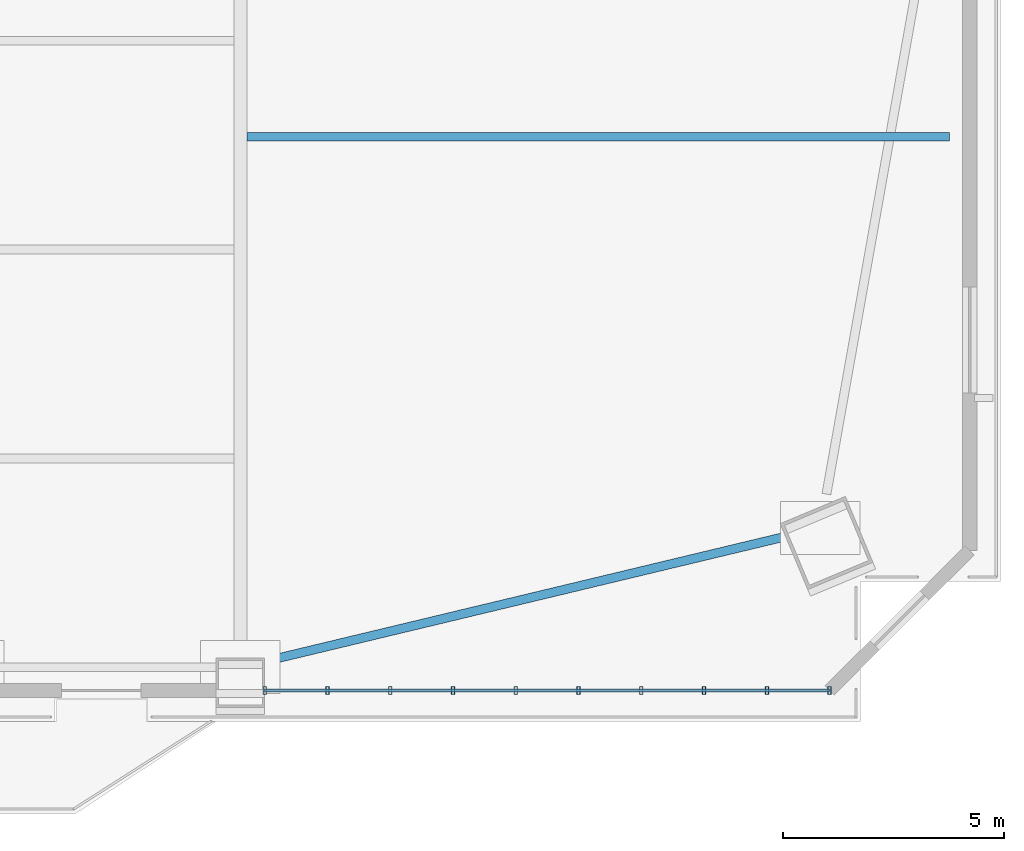
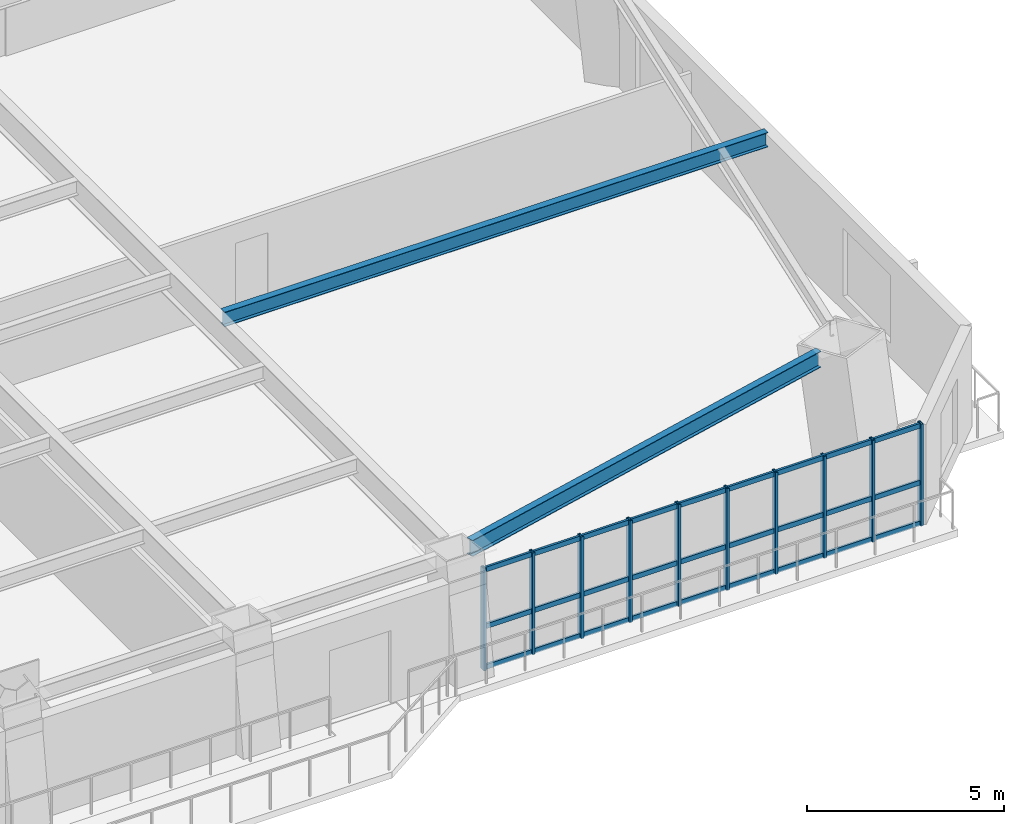
# One storey, part 6 of 17: 13 members, 2 beams, 1 element without a shape of its own.
"""IFC4 building model written with IfcOpenShell, lengths in metres."""

from ifc_helpers import new_model, si_unit, direction, frame, origin, origin_2d, place, context, subcontext, project, spatial, hollow_rectangle, i_section, extrude, source, transform, mapped, material, layer, layer_set, material_profile, profile_set, type_object, element, aggregate, save


model = new_model("IFC4")

# Units and contexts
model_context = context("Model", 3, precision=1e-05, world=origin(), true_north=direction((0.0, 1.0)))
body_context = subcontext(model_context, "Body", "Model", "MODEL_VIEW")
ifc_project = project(units=[si_unit("LENGTHUNIT", "METRE"), si_unit("AREAUNIT", "SQUARE_METRE"), si_unit("VOLUMEUNIT", "CUBIC_METRE"), si_unit("PLANEANGLEUNIT", "RADIAN"), si_unit("MASSUNIT", "GRAM", prefix="KILO")], contexts=[model_context])

# Site, building, storey
site_placement = place(None, origin())
site = spatial("IfcSite", under=ifc_project, at=site_placement, CompositionType="ELEMENT")
building_placement = place(site_placement, origin())
building = spatial("IfcBuilding", under=site, at=building_placement, Name="Giltprow Tower", CompositionType="ELEMENT")
storey_placement = place(building_placement, frame((0.0, 0.0, 44.89990234375)))
storey = spatial("IfcBuildingStorey", under=building, at=storey_placement, Name="L11", CompositionType="ELEMENT", Elevation=44.89990234375)

# Beams
ifc_material_1 = material(Name="Structural steel Q355B", Category="steel")
ifc_material_profile_1 = material_profile(ifc_material_1, i_section(OverallWidth=0.199951171875, OverallDepth=0.5, WebThickness=0.010009765625, FlangeThickness=0.01611328125, at=origin_2d()), Name="HN 500x200x10x16")
ifc_profile_set_1 = profile_set([ifc_material_profile_1], Name="Structural steel Q355B")
beam_type_1 = type_object("IfcBeamType", Name="BM-SPAN-HN500", PredefinedType="SPANDREL", material=ifc_profile_set_1)
shared_shape_1 = source(origin(), body_context, "Body", "SweptSolid", [
    extrude(i_section(OverallWidth=0.199951171875, OverallDepth=0.5, WebThickness=0.010009765625, FlangeThickness=0.01611328125, at=origin_2d()), origin(), (0.0, 0.0, 1.0), 12.1845703125),
])
beam_1_placement = place(storey_placement, frame((51.070068359375, 4.47900390625, 3.3701171875), z_axis=(0.972455101708, 0.23309027256, 0.0), x_axis=(-0.23309027256, 0.972455101708, 0.0)))
element("IfcBeam", 1, at=beam_1_placement, inside=storey, type_object=beam_type_1, Name="L11 Perimeter Spandrel Beam S4-MC_SE", PredefinedType="SPANDREL", context=body_context, shape_type="MappedRepresentation", body=[
    mapped(shared_shape_1, transform((0.0, 0.0, 0.0), x_axis=(1.0, 0.0, 0.0), y_axis=(0.0, 1.0, 0.0), z_axis=(0.0, 0.0, 1.0), scale=1.0)),
])
ifc_material_profile_2 = material_profile(ifc_material_1, i_section(OverallWidth=0.199951171875, OverallDepth=0.449951171875, WebThickness=0.009033203125, FlangeThickness=0.013916015625, at=origin_2d()), Name="HN 450x200x9x14")
ifc_profile_set_2 = profile_set([ifc_material_profile_2], Name="Structural steel Q355B")
beam_type_2 = type_object("IfcBeamType", Name="BM-JOIST-HN450", PredefinedType="JOIST", material=ifc_profile_set_2)
shared_shape_2 = source(origin(), body_context, "Body", "SweptSolid", [
    extrude(i_section(OverallWidth=0.199951171875, OverallDepth=0.449951171875, WebThickness=0.009033203125, FlangeThickness=0.013916015625, at=origin_2d()), origin(), (0.0, 0.0, 1.0), 15.9150390625),
])
beam_2_placement = place(storey_placement, frame((50.695068359375, 16.364013671875, 3.39501953125), z_axis=(1.0, 0.0, 0.0), x_axis=(0.0, 1.0, 0.0)))
element("IfcBeam", 2, at=beam_2_placement, inside=storey, type_object=beam_type_2, Name="L11 East Wing Floor Joist 1", PredefinedType="JOIST", context=body_context, shape_type="MappedRepresentation", body=[
    mapped(shared_shape_2, transform((0.0, 0.0, 0.0), x_axis=(1.0, 0.0, 0.0), y_axis=(0.0, 1.0, 0.0), z_axis=(0.0, 0.0, 1.0), scale=1.0)),
])

# Curtain wall, members
ifc_material_2 = material(Name="Anodized bronze", Category="metal")
ifc_layer = layer(ifc_material_2, 0.179931640625, Name="Anodized bronze")
ifc_layer_set = layer_set([ifc_layer], Name="Anodized bronze")
curtain_wall_type = type_object("IfcCurtainWallType", Name="CW-OFF-RECESSED", PredefinedType="NOTDEFINED", material=ifc_layer_set)
curtain_wall_placement = place(storey_placement, origin())
curtain_wall = element("IfcCurtainWall", 3, at=curtain_wall_placement, inside=storey, type_object=curtain_wall_type, Name="L11 South Recessed Curtain Wall 6", PredefinedType="NOTDEFINED")
ifc_material_profile_3 = material_profile(ifc_material_2, hollow_rectangle(XDim=0.06494140625, YDim=0.14990234375, WallThickness=0.006103515625, at=origin_2d()), Name="RHS 150x65x6")
ifc_profile_set_3 = profile_set([ifc_material_profile_3], Name="Anodized bronze")
member_type_1 = type_object("IfcMemberType", Name="CW-TRANSOM-150x65", PredefinedType="USERDEFINED", material=ifc_profile_set_3)
shared_shape_3 = source(origin(), body_context, "Body", "SweptSolid", [
    extrude(hollow_rectangle(XDim=0.06494140625, YDim=0.14990234375, WallThickness=0.006103515625, at=origin_2d()), origin(), (0.0, 0.0, 1.0), 12.791015625),
])
member_1_placement = place(storey_placement, frame((51.10009765625, 3.826904296875, 0.0400390625), z_axis=(1.0, 0.0, 0.0), x_axis=(0.0, 1.0, 0.0)))
member_1 = element("IfcMember", 4, at=member_1_placement, type_object=member_type_1, Name="L11 South Recessed Curtain Wall 6 Transom 1", ObjectType="TRANSOM", PredefinedType="USERDEFINED", context=body_context, shape_type="MappedRepresentation", body=[
    mapped(shared_shape_3, transform((0.0, 0.0, 0.0), x_axis=(1.0, 0.0, 0.0), y_axis=(0.0, 1.0, 0.0), z_axis=(0.0, 0.0, 1.0), scale=1.0)),
])
member_2_placement = place(storey_placement, frame((51.10009765625, 3.826904296875, 1.302001953125), z_axis=(1.0, 0.0, 0.0), x_axis=(0.0, 1.0, 0.0)))
member_2 = element("IfcMember", 5, at=member_2_placement, type_object=member_type_1, Name="L11 South Recessed Curtain Wall 6 Transom 2", ObjectType="TRANSOM", PredefinedType="USERDEFINED", context=body_context, shape_type="MappedRepresentation", body=[
    mapped(shared_shape_3, transform((0.0, 0.0, 0.0), x_axis=(1.0, 0.0, 0.0), y_axis=(0.0, 1.0, 0.0), z_axis=(0.0, 0.0, 1.0), scale=1.0)),
])
member_3_placement = place(storey_placement, frame((51.10009765625, 3.826904296875, 3.06005859375), z_axis=(1.0, 0.0, 0.0), x_axis=(0.0, 1.0, 0.0)))
member_3 = element("IfcMember", 6, at=member_3_placement, type_object=member_type_1, Name="L11 South Recessed Curtain Wall 6 Transom 3", ObjectType="TRANSOM", PredefinedType="USERDEFINED", context=body_context, shape_type="MappedRepresentation", body=[
    mapped(shared_shape_3, transform((0.0, 0.0, 0.0), x_axis=(1.0, 0.0, 0.0), y_axis=(0.0, 1.0, 0.0), z_axis=(0.0, 0.0, 1.0), scale=1.0)),
])
ifc_material_profile_4 = material_profile(ifc_material_2, hollow_rectangle(XDim=0.074951171875, YDim=0.179931640625, WallThickness=0.008056640625, at=origin_2d()), Name="RHS 180x75x8")
ifc_profile_set_4 = profile_set([ifc_material_profile_4], Name="Anodized bronze")
member_type_2 = type_object("IfcMemberType", Name="CW-MULLION-180x75", PredefinedType="MULLION", material=ifc_profile_set_4)
shared_shape_4 = source(origin(), body_context, "Body", "SweptSolid", [
    extrude(hollow_rectangle(XDim=0.074951171875, YDim=0.179931640625, WallThickness=0.008056640625, at=origin_2d()), origin(), (0.0, 0.0, 1.0), 3.155029296875),
])
member_4_placement = place(storey_placement, frame((51.10009765625, 3.826904296875, -0.02001953125), z_axis=(0.0, 0.0, 1.0), x_axis=(1.0, 0.0, 0.0)))
member_4 = element("IfcMember", 7, at=member_4_placement, type_object=member_type_2, Name="L11 South Recessed Curtain Wall 6 Mullion 1", PredefinedType="MULLION", context=body_context, shape_type="MappedRepresentation", body=[
    mapped(shared_shape_4, transform((0.0, 0.0, 0.0), x_axis=(1.0, 0.0, 0.0), y_axis=(0.0, 1.0, 0.0), z_axis=(0.0, 0.0, 1.0), scale=1.0)),
])
member_5_placement = place(storey_placement, frame((52.52099609375, 3.826904296875, -0.02001953125), z_axis=(0.0, 0.0, 1.0), x_axis=(1.0, 0.0, 0.0)))
member_5 = element("IfcMember", 8, at=member_5_placement, type_object=member_type_2, Name="L11 South Recessed Curtain Wall 6 Mullion 2", PredefinedType="MULLION", context=body_context, shape_type="MappedRepresentation", body=[
    mapped(shared_shape_4, transform((0.0, 0.0, 0.0), x_axis=(1.0, 0.0, 0.0), y_axis=(0.0, 1.0, 0.0), z_axis=(0.0, 0.0, 1.0), scale=1.0)),
])
member_6_placement = place(storey_placement, frame((53.94189453125, 3.826904296875, -0.02001953125), z_axis=(0.0, 0.0, 1.0), x_axis=(1.0, 0.0, 0.0)))
member_6 = element("IfcMember", 9, at=member_6_placement, type_object=member_type_2, Name="L11 South Recessed Curtain Wall 6 Mullion 3", PredefinedType="MULLION", context=body_context, shape_type="MappedRepresentation", body=[
    mapped(shared_shape_4, transform((0.0, 0.0, 0.0), x_axis=(1.0, 0.0, 0.0), y_axis=(0.0, 1.0, 0.0), z_axis=(0.0, 0.0, 1.0), scale=1.0)),
])
member_7_placement = place(storey_placement, frame((55.364013671875, 3.826904296875, -0.02001953125), z_axis=(0.0, 0.0, 1.0), x_axis=(1.0, 0.0, 0.0)))
member_7 = element("IfcMember", 10, at=member_7_placement, type_object=member_type_2, Name="L11 South Recessed Curtain Wall 6 Mullion 4", PredefinedType="MULLION", context=body_context, shape_type="MappedRepresentation", body=[
    mapped(shared_shape_4, transform((0.0, 0.0, 0.0), x_axis=(1.0, 0.0, 0.0), y_axis=(0.0, 1.0, 0.0), z_axis=(0.0, 0.0, 1.0), scale=1.0)),
])
member_8_placement = place(storey_placement, frame((56.784912109375, 3.826904296875, -0.02001953125), z_axis=(0.0, 0.0, 1.0), x_axis=(1.0, 0.0, 0.0)))
member_8 = element("IfcMember", 11, at=member_8_placement, type_object=member_type_2, Name="L11 South Recessed Curtain Wall 6 Mullion 5", PredefinedType="MULLION", context=body_context, shape_type="MappedRepresentation", body=[
    mapped(shared_shape_4, transform((0.0, 0.0, 0.0), x_axis=(1.0, 0.0, 0.0), y_axis=(0.0, 1.0, 0.0), z_axis=(0.0, 0.0, 1.0), scale=1.0)),
])
member_9_placement = place(storey_placement, frame((58.2060546875, 3.826904296875, -0.02001953125), z_axis=(0.0, 0.0, 1.0), x_axis=(1.0, 0.0, 0.0)))
member_9 = element("IfcMember", 12, at=member_9_placement, type_object=member_type_2, Name="L11 South Recessed Curtain Wall 6 Mullion 6", PredefinedType="MULLION", context=body_context, shape_type="MappedRepresentation", body=[
    mapped(shared_shape_4, transform((0.0, 0.0, 0.0), x_axis=(1.0, 0.0, 0.0), y_axis=(0.0, 1.0, 0.0), z_axis=(0.0, 0.0, 1.0), scale=1.0)),
])
member_10_placement = place(storey_placement, frame((59.626953125, 3.826904296875, -0.02001953125), z_axis=(0.0, 0.0, 1.0), x_axis=(1.0, 0.0, 0.0)))
member_10 = element("IfcMember", 13, at=member_10_placement, type_object=member_type_2, Name="L11 South Recessed Curtain Wall 6 Mullion 7", PredefinedType="MULLION", context=body_context, shape_type="MappedRepresentation", body=[
    mapped(shared_shape_4, transform((0.0, 0.0, 0.0), x_axis=(1.0, 0.0, 0.0), y_axis=(0.0, 1.0, 0.0), z_axis=(0.0, 0.0, 1.0), scale=1.0)),
])
member_11_placement = place(storey_placement, frame((61.049072265625, 3.826904296875, -0.02001953125), z_axis=(0.0, 0.0, 1.0), x_axis=(1.0, 0.0, 0.0)))
member_11 = element("IfcMember", 14, at=member_11_placement, type_object=member_type_2, Name="L11 South Recessed Curtain Wall 6 Mullion 8", PredefinedType="MULLION", context=body_context, shape_type="MappedRepresentation", body=[
    mapped(shared_shape_4, transform((0.0, 0.0, 0.0), x_axis=(1.0, 0.0, 0.0), y_axis=(0.0, 1.0, 0.0), z_axis=(0.0, 0.0, 1.0), scale=1.0)),
])
member_12_placement = place(storey_placement, frame((62.469970703125, 3.826904296875, -0.02001953125), z_axis=(0.0, 0.0, 1.0), x_axis=(1.0, 0.0, 0.0)))
member_12 = element("IfcMember", 15, at=member_12_placement, type_object=member_type_2, Name="L11 South Recessed Curtain Wall 6 Mullion 9", PredefinedType="MULLION", context=body_context, shape_type="MappedRepresentation", body=[
    mapped(shared_shape_4, transform((0.0, 0.0, 0.0), x_axis=(1.0, 0.0, 0.0), y_axis=(0.0, 1.0, 0.0), z_axis=(0.0, 0.0, 1.0), scale=1.0)),
])
member_13_placement = place(storey_placement, frame((63.89111328125, 3.826904296875, -0.02001953125), z_axis=(0.0, 0.0, 1.0), x_axis=(1.0, 0.0, 0.0)))
member_13 = element("IfcMember", 16, at=member_13_placement, type_object=member_type_2, Name="L11 South Recessed Curtain Wall 6 Mullion 10", PredefinedType="MULLION", context=body_context, shape_type="MappedRepresentation", body=[
    mapped(shared_shape_4, transform((0.0, 0.0, 0.0), x_axis=(1.0, 0.0, 0.0), y_axis=(0.0, 1.0, 0.0), z_axis=(0.0, 0.0, 1.0), scale=1.0)),
])
aggregate(curtain_wall, [member_4, member_5, member_6, member_7, member_8, member_9, member_10, member_11, member_12, member_13, member_1, member_2, member_3])

save(model, "model.ifc")
